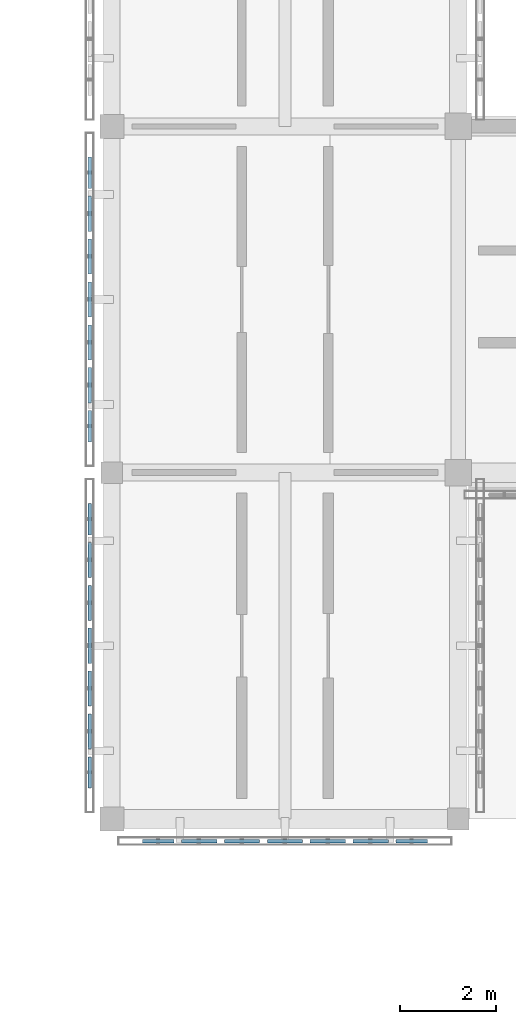
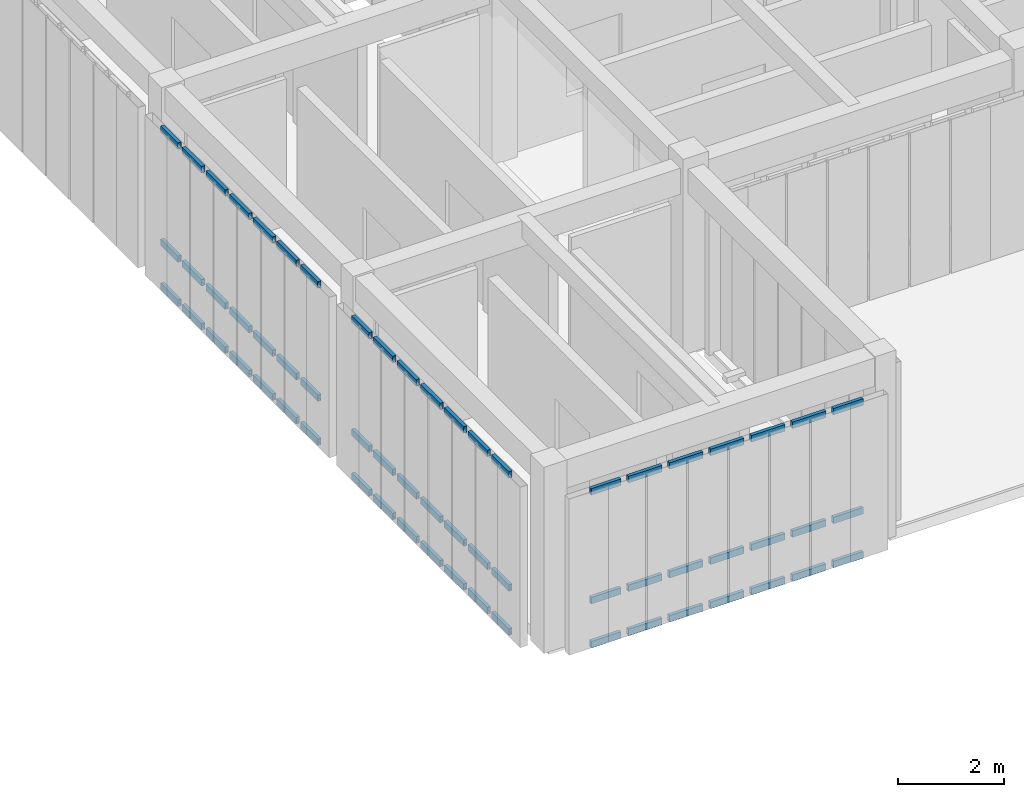
# One storey, part 32 of 91: 63 members, 3 elements without a shape of their own.
"""IFC4 building model written with IfcOpenShell, lengths in metres."""

import ifcopenshell
import ifcopenshell.guid

model = None  # the IFC model being written
_history = None  # IfcOwnerHistory: only IFC2X3 demands one
_inside = {}  # id of a spatial element -> (the spatial element, [elements in it])
_under = {}  # id of a project, library or spatial element -> (it, [spatial elements below it])
_declared = {}  # id of a project -> (the project, [libraries it declares])
_typed = {}  # id of a type object -> (the type object, [elements of that type])
_made_of = {}  # id of a material, layer set ... -> (it, [elements and type objects made of it])


def new_model(schema):
    """Start an empty IFC model of exactly this schema.

    Asked for "IFC4X3", IfcOpenShell would pick the latest addendum, in which some entities
    have other attributes; the version numbers below select the first issue.
    IFC2X3 requires an IfcOwnerHistory on every rooted entity: one is made here for all.
    """
    global model, _history
    if schema == "IFC4X3":
        model = ifcopenshell.file(schema_version=(4, 3, 0, 0))
    else:
        model = ifcopenshell.file(schema=schema)
    _inside.clear()
    _under.clear()
    _declared.clear()
    _typed.clear()
    _made_of.clear()
    _history = None
    if model.schema == "IFC2X3":
        org = make("IfcOrganization", Name="unknown")
        user = make(
            "IfcPersonAndOrganization",
            ThePerson=make("IfcPerson", FamilyName="unknown"),
            TheOrganization=org,
        )
        app = make(
            "IfcApplication",
            ApplicationDeveloper=org,
            Version="unknown",
            ApplicationFullName="unknown",
            ApplicationIdentifier="unknown",
        )
        _history = make(
            "IfcOwnerHistory",
            OwningUser=user,
            OwningApplication=app,
            ChangeAction="ADDED",
            CreationDate=0,
        )
    return model


def make(cls, **values):
    """One entity of the class cls with the attributes given. An attribute that is None is left unset."""
    return model.create_entity(
        cls, **{name: value for name, value in values.items() if value is not None}
    )


def rooted(cls, **values):
    """An entity with a GlobalId (a new one), such as an element, a storey or a relation."""
    return make(cls, GlobalId=ifcopenshell.guid.new(), OwnerHistory=_history, **values)


def si_unit(unit_type, name, prefix=None):
    """IfcSIUnit, for example si_unit("LENGTHUNIT", "METRE", prefix="MILLI")."""
    return make("IfcSIUnit", UnitType=unit_type, Prefix=prefix, Name=name)


def assignment(units):
    """IfcUnitAssignment: the units of a project."""
    return None if units is None else make("IfcUnitAssignment", Units=units)


def point(xyz):
    """IfcCartesianPoint."""
    return None if xyz is None else make("IfcCartesianPoint", Coordinates=xyz)


def direction(xyz):
    """IfcDirection."""
    return None if xyz is None else make("IfcDirection", DirectionRatios=xyz)


def frame(location, z_axis=None, x_axis=None):
    """IfcAxis2Placement3D, a coordinate frame: its origin and axes. An axis left out is left unset."""
    return make(
        "IfcAxis2Placement3D",
        Location=point(location),
        Axis=direction(z_axis),
        RefDirection=direction(x_axis),
    )


def frame_2d(location, x_axis=None):
    """IfcAxis2Placement2D, a coordinate frame in the plane: its origin and x axis."""
    return make(
        "IfcAxis2Placement2D", Location=point(location), RefDirection=direction(x_axis)
    )


def origin():
    """The frame at (0, 0, 0) with its axes left unset."""
    return frame((0.0, 0.0, 0.0))


def origin_2d():
    """The frame at (0, 0) in the plane with its x axis left unset."""
    return frame_2d((0.0, 0.0))


def place(relative_to, where):
    """IfcLocalPlacement: puts the frame where relative to a parent placement (None: the world)."""
    return make(
        "IfcLocalPlacement", PlacementRelTo=relative_to, RelativePlacement=where
    )


def context(
    kind, dimensions, precision=None, world=None, true_north=None, identifier=None
):
    """IfcGeometricRepresentationContext, for example the 3D "Model" context."""
    return make(
        "IfcGeometricRepresentationContext",
        ContextIdentifier=identifier,
        ContextType=kind,
        CoordinateSpaceDimension=dimensions,
        Precision=precision,
        WorldCoordinateSystem=world,
        TrueNorth=true_north,
    )


def subcontext(parent, identifier, kind, view, scale=None):
    """IfcGeometricRepresentationSubContext, for example "Body" below "Model"."""
    return make(
        "IfcGeometricRepresentationSubContext",
        ContextIdentifier=identifier,
        ContextType=kind,
        ParentContext=parent,
        TargetScale=scale,
        TargetView=view,
    )


def project(units=None, contexts=None):
    """IfcProject with its units and contexts."""
    return rooted(
        "IfcProject",
        Name="project",
        RepresentationContexts=contexts,
        UnitsInContext=assignment(units),
    )


def spatial(cls, under=None, at=None, **own):
    """A site, building, storey or space (cls), placed at a placement, below another one or the project."""
    s = rooted(cls, ObjectPlacement=at, **own)
    if under is not None:
        _under.setdefault(under.id(), (under, []))[1].append(s)
    return s


def profile(cls, at=None, kind="AREA", **sizes):
    """A parametric profile (cls). Its sizes go by their IFC names, for example OverallWidth=200.0."""
    return make(cls, ProfileType=kind, Position=at, **sizes)


def hollow_rectangle(**sizes):
    """IfcRectangleHollowProfileDef."""
    return profile("IfcRectangleHollowProfileDef", **sizes)


def extrude(swept, where, along, depth):
    """IfcExtrudedAreaSolid: the profile swept, set in the frame where, extruded along a direction by depth."""
    return make(
        "IfcExtrudedAreaSolid",
        SweptArea=swept,
        Position=where,
        ExtrudedDirection=direction(along),
        Depth=depth,
    )


def shape(context_of_items, identifier, shape_type, items):
    """IfcShapeRepresentation: the items that make up one representation, for example the "Body"."""
    return make(
        "IfcShapeRepresentation",
        ContextOfItems=context_of_items,
        RepresentationIdentifier=identifier,
        RepresentationType=shape_type,
        Items=items,
    )


def material(Name=None, Category=None):
    """IfcMaterial."""
    return make("IfcMaterial", Name=Name, Category=Category)


def material_profile(
    of_material, cross_section, Name=None, Category=None, Priority=None
):
    """IfcMaterialProfile: a cross section and its material."""
    return make(
        "IfcMaterialProfile",
        Name=Name,
        Material=of_material,
        Profile=cross_section,
        Priority=Priority,
        Category=Category,
    )


def profile_set(profiles, Name=None, composite=None):
    """IfcMaterialProfileSet."""
    return make(
        "IfcMaterialProfileSet",
        Name=Name,
        MaterialProfiles=profiles,
        CompositeProfile=composite,
    )


def made_of(thing, what):
    """Note that an element or type object is made of a material, layer set ...; save() writes the relation."""
    if what is not None:
        _made_of.setdefault(what.id(), (what, []))[1].append(thing)
    return thing


def type_object(cls, material=None, **own):
    """A type object (cls), such as IfcWallType, which elements share."""
    return made_of(rooted(cls, **own), material)


def element(
    cls,
    number,
    at=None,
    inside=None,
    cuts=None,
    type_object=None,
    material=None,
    context=None,
    identifier="Body",
    shape_type=None,
    held_by="IfcProductDefinitionShape",
    body=None,
    shapes=None,
    **own,
):
    """One element of the class cls, such as IfcWall. Its Tag is "e" and its number.

    at: its placement. inside: the storey or other place that contains it. cuts: it is an
    opening in that element (IfcRelVoidsElement). A single representation is given by context,
    identifier, shape_type and body (its items); several are given by shapes. held_by: the class
    of the entity that holds the representations. save() writes the other relations.
    """
    e = rooted(cls, Tag="e%d" % number, ObjectPlacement=at, **own)
    if body is not None:
        shapes = [shape(context, identifier, shape_type, body)]
    if shapes is not None:
        e.Representation = make(held_by, Representations=shapes)
    if inside is not None:
        _inside.setdefault(inside.id(), (inside, []))[1].append(e)
    if cuts is not None:
        rooted(
            "IfcRelVoidsElement", RelatingBuildingElement=cuts, RelatedOpeningElement=e
        )
    if type_object is not None:
        _typed.setdefault(type_object.id(), (type_object, []))[1].append(e)
    return made_of(e, material)


def aggregate(whole, parts):
    """IfcRelAggregates: a whole, such as a stair, and the parts it consists of."""
    return rooted("IfcRelAggregates", RelatingObject=whole, RelatedObjects=parts)


def save(model, path):
    """Write the relations noted so far, then the file.

    IfcRelAggregates (storeys below a building ...), IfcRelContainedInSpatialStructure (elements
    in a storey), IfcRelDefinesByType, IfcRelAssociatesMaterial and IfcRelDeclares: one each for
    every whole, place, type object, material and project.
    """
    for whole, parts in _under.values():
        aggregate(whole, parts)
    for where, things in _inside.values():
        rooted(
            "IfcRelContainedInSpatialStructure",
            RelatedElements=things,
            RelatingStructure=where,
        )
    for kind, things in _typed.values():
        rooted("IfcRelDefinesByType", RelatedObjects=things, RelatingType=kind)
    for what, things in _made_of.values():
        rooted("IfcRelAssociatesMaterial", RelatedObjects=things, RelatingMaterial=what)
    for by, libraries in _declared.values():
        rooted("IfcRelDeclares", RelatingContext=by, RelatedDefinitions=libraries)
    model.write(path)


model = new_model("IFC4")

# Units and contexts
model_context = context("Model", 3, precision=1e-05, world=origin(), true_north=direction((0.0, 1.0)))
body_context = subcontext(model_context, "Body", "Model", "MODEL_VIEW")
ifc_project = project(units=[si_unit("LENGTHUNIT", "METRE"), si_unit("AREAUNIT", "SQUARE_METRE"), si_unit("VOLUMEUNIT", "CUBIC_METRE"), si_unit("PLANEANGLEUNIT", "RADIAN"), si_unit("MASSUNIT", "GRAM", prefix="KILO")], contexts=[model_context])

# Site, building, storey
site_placement = place(None, origin())
site = spatial("IfcSite", under=ifc_project, at=site_placement, CompositionType="ELEMENT")
building_placement = place(site_placement, origin())
building = spatial("IfcBuilding", under=site, at=building_placement, Name="Aldebral Square Health Centre", CompositionType="ELEMENT")
storey_placement = place(building_placement, frame((0.0, 0.0, 9.0)))
storey = spatial("IfcBuildingStorey", under=building, at=storey_placement, Name="L02", CompositionType="ELEMENT", Elevation=9.0)

# Curtain wall, members
ifc_material_1 = material(Name="Aluminium and low-E solar glass", Category="aluminium")
curtain_wall_type = type_object("IfcCurtainWallType", Name="CW-FIN-SYS", PredefinedType="USERDEFINED", material=ifc_material_1)
curtain_wall_1_placement = place(storey_placement, origin())
curtain_wall_1 = element("IfcCurtainWall", 1, at=curtain_wall_1_placement, inside=storey, type_object=curtain_wall_type, Name="L02 V5 finned curtain wall L02-V5-19-07-S", ObjectType="SOLAR_CURTAIN_WALL", PredefinedType="USERDEFINED")
ifc_material_2 = material(Name="Anodised aluminium transom", Category="aluminium")
ifc_material_profile = material_profile(ifc_material_2, hollow_rectangle(XDim=0.074951171875, YDim=0.14990234375, WallThickness=0.00390625, at=origin_2d()), Name="CWT 75x150x4")
ifc_profile_set = profile_set([ifc_material_profile], Name="Anodised aluminium transom")
member_type = type_object("IfcMemberType", Name="CWT-STD", PredefinedType="USERDEFINED", material=ifc_profile_set)
member_1_placement = place(storey_placement, frame((137.43994140625, 49.93994140625, 0.03759765625), z_axis=(1.0, 0.0, 0.0), x_axis=(0.0, 1.0, 0.0)))
member_1 = element("IfcMember", 2, at=member_1_placement, type_object=member_type, Name="CW1 transom 1.1", ObjectType="TRANSOM", PredefinedType="USERDEFINED", context=body_context, shape_type="SweptSolid", body=[
    extrude(hollow_rectangle(XDim=0.074951171875, YDim=0.14990234375, WallThickness=0.00390625, at=origin_2d()), origin(), (0.0, 0.0, 1.0), 0.6513671875),
])
member_2_placement = place(storey_placement, frame((137.43994140625, 49.93994140625, 1.050048828125), z_axis=(1.0, 0.0, 0.0), x_axis=(0.0, 1.0, 0.0)))
member_2 = element("IfcMember", 3, at=member_2_placement, type_object=member_type, Name="CW1 transom 1.2", ObjectType="TRANSOM", PredefinedType="USERDEFINED", context=body_context, shape_type="SweptSolid", body=[
    extrude(hollow_rectangle(XDim=0.074951171875, YDim=0.14990234375, WallThickness=0.00390625, at=origin_2d()), origin(), (0.0, 0.0, 1.0), 0.6513671875),
])
member_3_placement = place(storey_placement, frame((137.43994140625, 49.93994140625, 3.552490234375), z_axis=(1.0, 0.0, 0.0), x_axis=(0.0, 1.0, 0.0)))
member_3 = element("IfcMember", 4, at=member_3_placement, type_object=member_type, Name="CW1 transom 1.3", ObjectType="TRANSOM", PredefinedType="USERDEFINED", context=body_context, shape_type="SweptSolid", body=[
    extrude(hollow_rectangle(XDim=0.074951171875, YDim=0.14990234375, WallThickness=0.00390625, at=origin_2d()), origin(), (0.0, 0.0, 1.0), 0.6513671875),
])
member_4_placement = place(storey_placement, frame((138.25146484375, 49.93994140625, 0.03759765625), z_axis=(1.0, 0.0, 0.0), x_axis=(0.0, 1.0, 0.0)))
member_4 = element("IfcMember", 5, at=member_4_placement, type_object=member_type, Name="CW1 transom 2.1", ObjectType="TRANSOM", PredefinedType="USERDEFINED", context=body_context, shape_type="SweptSolid", body=[
    extrude(hollow_rectangle(XDim=0.074951171875, YDim=0.14990234375, WallThickness=0.00390625, at=origin_2d()), origin(), (0.0, 0.0, 1.0), 0.7314453125),
])
member_5_placement = place(storey_placement, frame((138.25146484375, 49.93994140625, 1.050048828125), z_axis=(1.0, 0.0, 0.0), x_axis=(0.0, 1.0, 0.0)))
member_5 = element("IfcMember", 6, at=member_5_placement, type_object=member_type, Name="CW1 transom 2.2", ObjectType="TRANSOM", PredefinedType="USERDEFINED", context=body_context, shape_type="SweptSolid", body=[
    extrude(hollow_rectangle(XDim=0.074951171875, YDim=0.14990234375, WallThickness=0.00390625, at=origin_2d()), origin(), (0.0, 0.0, 1.0), 0.7314453125),
])
member_6_placement = place(storey_placement, frame((138.25146484375, 49.93994140625, 3.552490234375), z_axis=(1.0, 0.0, 0.0), x_axis=(0.0, 1.0, 0.0)))
member_6 = element("IfcMember", 7, at=member_6_placement, type_object=member_type, Name="CW1 transom 2.3", ObjectType="TRANSOM", PredefinedType="USERDEFINED", context=body_context, shape_type="SweptSolid", body=[
    extrude(hollow_rectangle(XDim=0.074951171875, YDim=0.14990234375, WallThickness=0.00390625, at=origin_2d()), origin(), (0.0, 0.0, 1.0), 0.7314453125),
])
member_7_placement = place(storey_placement, frame((139.142822265625, 49.93994140625, 0.03759765625), z_axis=(1.0, 0.0, 0.0), x_axis=(0.0, 1.0, 0.0)))
member_7 = element("IfcMember", 8, at=member_7_placement, type_object=member_type, Name="CW1 transom 3.1", ObjectType="TRANSOM", PredefinedType="USERDEFINED", context=body_context, shape_type="SweptSolid", body=[
    extrude(hollow_rectangle(XDim=0.074951171875, YDim=0.14990234375, WallThickness=0.00390625, at=origin_2d()), origin(), (0.0, 0.0, 1.0), 0.7314453125),
])
member_8_placement = place(storey_placement, frame((139.142822265625, 49.93994140625, 1.050048828125), z_axis=(1.0, 0.0, 0.0), x_axis=(0.0, 1.0, 0.0)))
member_8 = element("IfcMember", 9, at=member_8_placement, type_object=member_type, Name="CW1 transom 3.2", ObjectType="TRANSOM", PredefinedType="USERDEFINED", context=body_context, shape_type="SweptSolid", body=[
    extrude(hollow_rectangle(XDim=0.074951171875, YDim=0.14990234375, WallThickness=0.00390625, at=origin_2d()), origin(), (0.0, 0.0, 1.0), 0.7314453125),
])
member_9_placement = place(storey_placement, frame((139.142822265625, 49.93994140625, 3.552490234375), z_axis=(1.0, 0.0, 0.0), x_axis=(0.0, 1.0, 0.0)))
member_9 = element("IfcMember", 10, at=member_9_placement, type_object=member_type, Name="CW1 transom 3.3", ObjectType="TRANSOM", PredefinedType="USERDEFINED", context=body_context, shape_type="SweptSolid", body=[
    extrude(hollow_rectangle(XDim=0.074951171875, YDim=0.14990234375, WallThickness=0.00390625, at=origin_2d()), origin(), (0.0, 0.0, 1.0), 0.7314453125),
])
member_10_placement = place(storey_placement, frame((140.0341796875, 49.93994140625, 0.03759765625), z_axis=(1.0, 0.0, 0.0), x_axis=(0.0, 1.0, 0.0)))
member_10 = element("IfcMember", 11, at=member_10_placement, type_object=member_type, Name="CW1 transom 4.1", ObjectType="TRANSOM", PredefinedType="USERDEFINED", context=body_context, shape_type="SweptSolid", body=[
    extrude(hollow_rectangle(XDim=0.074951171875, YDim=0.14990234375, WallThickness=0.00390625, at=origin_2d()), origin(), (0.0, 0.0, 1.0), 0.7314453125),
])
member_11_placement = place(storey_placement, frame((140.0341796875, 49.93994140625, 1.050048828125), z_axis=(1.0, 0.0, 0.0), x_axis=(0.0, 1.0, 0.0)))
member_11 = element("IfcMember", 12, at=member_11_placement, type_object=member_type, Name="CW1 transom 4.2", ObjectType="TRANSOM", PredefinedType="USERDEFINED", context=body_context, shape_type="SweptSolid", body=[
    extrude(hollow_rectangle(XDim=0.074951171875, YDim=0.14990234375, WallThickness=0.00390625, at=origin_2d()), origin(), (0.0, 0.0, 1.0), 0.7314453125),
])
member_12_placement = place(storey_placement, frame((140.0341796875, 49.93994140625, 3.552490234375), z_axis=(1.0, 0.0, 0.0), x_axis=(0.0, 1.0, 0.0)))
member_12 = element("IfcMember", 13, at=member_12_placement, type_object=member_type, Name="CW1 transom 4.3", ObjectType="TRANSOM", PredefinedType="USERDEFINED", context=body_context, shape_type="SweptSolid", body=[
    extrude(hollow_rectangle(XDim=0.074951171875, YDim=0.14990234375, WallThickness=0.00390625, at=origin_2d()), origin(), (0.0, 0.0, 1.0), 0.7314453125),
])
member_13_placement = place(storey_placement, frame((140.92578125, 49.93994140625, 0.03759765625), z_axis=(1.0, 0.0, 0.0), x_axis=(0.0, 1.0, 0.0)))
member_13 = element("IfcMember", 14, at=member_13_placement, type_object=member_type, Name="CW1 transom 5.1", ObjectType="TRANSOM", PredefinedType="USERDEFINED", context=body_context, shape_type="SweptSolid", body=[
    extrude(hollow_rectangle(XDim=0.074951171875, YDim=0.14990234375, WallThickness=0.00390625, at=origin_2d()), origin(), (0.0, 0.0, 1.0), 0.7314453125),
])
member_14_placement = place(storey_placement, frame((140.92578125, 49.93994140625, 1.050048828125), z_axis=(1.0, 0.0, 0.0), x_axis=(0.0, 1.0, 0.0)))
member_14 = element("IfcMember", 15, at=member_14_placement, type_object=member_type, Name="CW1 transom 5.2", ObjectType="TRANSOM", PredefinedType="USERDEFINED", context=body_context, shape_type="SweptSolid", body=[
    extrude(hollow_rectangle(XDim=0.074951171875, YDim=0.14990234375, WallThickness=0.00390625, at=origin_2d()), origin(), (0.0, 0.0, 1.0), 0.7314453125),
])
member_15_placement = place(storey_placement, frame((140.92578125, 49.93994140625, 3.552490234375), z_axis=(1.0, 0.0, 0.0), x_axis=(0.0, 1.0, 0.0)))
member_15 = element("IfcMember", 16, at=member_15_placement, type_object=member_type, Name="CW1 transom 5.3", ObjectType="TRANSOM", PredefinedType="USERDEFINED", context=body_context, shape_type="SweptSolid", body=[
    extrude(hollow_rectangle(XDim=0.074951171875, YDim=0.14990234375, WallThickness=0.00390625, at=origin_2d()), origin(), (0.0, 0.0, 1.0), 0.7314453125),
])
member_16_placement = place(storey_placement, frame((141.817138671875, 49.93994140625, 0.03759765625), z_axis=(1.0, 0.0, 0.0), x_axis=(0.0, 1.0, 0.0)))
member_16 = element("IfcMember", 17, at=member_16_placement, type_object=member_type, Name="CW1 transom 6.1", ObjectType="TRANSOM", PredefinedType="USERDEFINED", context=body_context, shape_type="SweptSolid", body=[
    extrude(hollow_rectangle(XDim=0.074951171875, YDim=0.14990234375, WallThickness=0.00390625, at=origin_2d()), origin(), (0.0, 0.0, 1.0), 0.7314453125),
])
member_17_placement = place(storey_placement, frame((141.817138671875, 49.93994140625, 1.050048828125), z_axis=(1.0, 0.0, 0.0), x_axis=(0.0, 1.0, 0.0)))
member_17 = element("IfcMember", 18, at=member_17_placement, type_object=member_type, Name="CW1 transom 6.2", ObjectType="TRANSOM", PredefinedType="USERDEFINED", context=body_context, shape_type="SweptSolid", body=[
    extrude(hollow_rectangle(XDim=0.074951171875, YDim=0.14990234375, WallThickness=0.00390625, at=origin_2d()), origin(), (0.0, 0.0, 1.0), 0.7314453125),
])
member_18_placement = place(storey_placement, frame((141.817138671875, 49.93994140625, 3.552490234375), z_axis=(1.0, 0.0, 0.0), x_axis=(0.0, 1.0, 0.0)))
member_18 = element("IfcMember", 19, at=member_18_placement, type_object=member_type, Name="CW1 transom 6.3", ObjectType="TRANSOM", PredefinedType="USERDEFINED", context=body_context, shape_type="SweptSolid", body=[
    extrude(hollow_rectangle(XDim=0.074951171875, YDim=0.14990234375, WallThickness=0.00390625, at=origin_2d()), origin(), (0.0, 0.0, 1.0), 0.7314453125),
])
member_19_placement = place(storey_placement, frame((142.70849609375, 49.93994140625, 0.03759765625), z_axis=(1.0, 0.0, 0.0), x_axis=(0.0, 1.0, 0.0)))
member_19 = element("IfcMember", 20, at=member_19_placement, type_object=member_type, Name="CW1 transom 7.1", ObjectType="TRANSOM", PredefinedType="USERDEFINED", context=body_context, shape_type="SweptSolid", body=[
    extrude(hollow_rectangle(XDim=0.074951171875, YDim=0.14990234375, WallThickness=0.00390625, at=origin_2d()), origin(), (0.0, 0.0, 1.0), 0.651611328125),
])
member_20_placement = place(storey_placement, frame((142.70849609375, 49.93994140625, 1.050048828125), z_axis=(1.0, 0.0, 0.0), x_axis=(0.0, 1.0, 0.0)))
member_20 = element("IfcMember", 21, at=member_20_placement, type_object=member_type, Name="CW1 transom 7.2", ObjectType="TRANSOM", PredefinedType="USERDEFINED", context=body_context, shape_type="SweptSolid", body=[
    extrude(hollow_rectangle(XDim=0.074951171875, YDim=0.14990234375, WallThickness=0.00390625, at=origin_2d()), origin(), (0.0, 0.0, 1.0), 0.651611328125),
])
member_21_placement = place(storey_placement, frame((142.70849609375, 49.93994140625, 3.552490234375), z_axis=(1.0, 0.0, 0.0), x_axis=(0.0, 1.0, 0.0)))
member_21 = element("IfcMember", 22, at=member_21_placement, type_object=member_type, Name="CW1 transom 7.3", ObjectType="TRANSOM", PredefinedType="USERDEFINED", context=body_context, shape_type="SweptSolid", body=[
    extrude(hollow_rectangle(XDim=0.074951171875, YDim=0.14990234375, WallThickness=0.00390625, at=origin_2d()), origin(), (0.0, 0.0, 1.0), 0.651611328125),
])
aggregate(curtain_wall_1, [member_1, member_2, member_3, member_4, member_5, member_6, member_7, member_8, member_9, member_10, member_11, member_12, member_13, member_14, member_15, member_16, member_17, member_18, member_19, member_20, member_21])

curtain_wall_2_placement = place(storey_placement, origin())
curtain_wall_2 = element("IfcCurtainWall", 23, at=curtain_wall_2_placement, inside=storey, type_object=curtain_wall_type, Name="L02 V5 finned curtain wall L02-V5-19-07-W", ObjectType="SOLAR_CURTAIN_WALL", PredefinedType="USERDEFINED")
member_22_placement = place(storey_placement, frame((136.340087890625, 56.9599609375, 0.03759765625), z_axis=(0.0, -1.0, 0.0), x_axis=(1.0, 0.0, 0.0)))
member_22 = element("IfcMember", 24, at=member_22_placement, type_object=member_type, Name="CW1 transom 1.1", ObjectType="TRANSOM", PredefinedType="USERDEFINED", context=body_context, shape_type="SweptSolid", body=[
    extrude(hollow_rectangle(XDim=0.074951171875, YDim=0.14990234375, WallThickness=0.00390625, at=origin_2d()), origin(), (0.0, 0.0, 1.0), 0.6513671875),
])
member_23_placement = place(storey_placement, frame((136.340087890625, 56.9599609375, 1.050048828125), z_axis=(0.0, -1.0, 0.0), x_axis=(1.0, 0.0, 0.0)))
member_23 = element("IfcMember", 25, at=member_23_placement, type_object=member_type, Name="CW1 transom 1.2", ObjectType="TRANSOM", PredefinedType="USERDEFINED", context=body_context, shape_type="SweptSolid", body=[
    extrude(hollow_rectangle(XDim=0.074951171875, YDim=0.14990234375, WallThickness=0.00390625, at=origin_2d()), origin(), (0.0, 0.0, 1.0), 0.6513671875),
])
member_24_placement = place(storey_placement, frame((136.340087890625, 56.9599609375, 3.652587890625), z_axis=(0.0, -1.0, 0.0), x_axis=(1.0, 0.0, 0.0)))
member_24 = element("IfcMember", 26, at=member_24_placement, type_object=member_type, Name="CW1 transom 1.3", ObjectType="TRANSOM", PredefinedType="USERDEFINED", context=body_context, shape_type="SweptSolid", body=[
    extrude(hollow_rectangle(XDim=0.074951171875, YDim=0.14990234375, WallThickness=0.00390625, at=origin_2d()), origin(), (0.0, 0.0, 1.0), 0.6513671875),
])
member_25_placement = place(storey_placement, frame((136.340087890625, 56.148681640625, 0.03759765625), z_axis=(0.0, -1.0, 0.0), x_axis=(1.0, 0.0, 0.0)))
member_25 = element("IfcMember", 27, at=member_25_placement, type_object=member_type, Name="CW1 transom 2.1", ObjectType="TRANSOM", PredefinedType="USERDEFINED", context=body_context, shape_type="SweptSolid", body=[
    extrude(hollow_rectangle(XDim=0.074951171875, YDim=0.14990234375, WallThickness=0.00390625, at=origin_2d()), origin(), (0.0, 0.0, 1.0), 0.7314453125),
])
member_26_placement = place(storey_placement, frame((136.340087890625, 56.148681640625, 1.050048828125), z_axis=(0.0, -1.0, 0.0), x_axis=(1.0, 0.0, 0.0)))
member_26 = element("IfcMember", 28, at=member_26_placement, type_object=member_type, Name="CW1 transom 2.2", ObjectType="TRANSOM", PredefinedType="USERDEFINED", context=body_context, shape_type="SweptSolid", body=[
    extrude(hollow_rectangle(XDim=0.074951171875, YDim=0.14990234375, WallThickness=0.00390625, at=origin_2d()), origin(), (0.0, 0.0, 1.0), 0.7314453125),
])
member_27_placement = place(storey_placement, frame((136.340087890625, 56.148681640625, 3.652587890625), z_axis=(0.0, -1.0, 0.0), x_axis=(1.0, 0.0, 0.0)))
member_27 = element("IfcMember", 29, at=member_27_placement, type_object=member_type, Name="CW1 transom 2.3", ObjectType="TRANSOM", PredefinedType="USERDEFINED", context=body_context, shape_type="SweptSolid", body=[
    extrude(hollow_rectangle(XDim=0.074951171875, YDim=0.14990234375, WallThickness=0.00390625, at=origin_2d()), origin(), (0.0, 0.0, 1.0), 0.7314453125),
])
member_28_placement = place(storey_placement, frame((136.340087890625, 55.257080078125, 0.03759765625), z_axis=(0.0, -1.0, 0.0), x_axis=(1.0, 0.0, 0.0)))
member_28 = element("IfcMember", 30, at=member_28_placement, type_object=member_type, Name="CW1 transom 3.1", ObjectType="TRANSOM", PredefinedType="USERDEFINED", context=body_context, shape_type="SweptSolid", body=[
    extrude(hollow_rectangle(XDim=0.074951171875, YDim=0.14990234375, WallThickness=0.00390625, at=origin_2d()), origin(), (0.0, 0.0, 1.0), 0.7314453125),
])
member_29_placement = place(storey_placement, frame((136.340087890625, 55.257080078125, 1.050048828125), z_axis=(0.0, -1.0, 0.0), x_axis=(1.0, 0.0, 0.0)))
member_29 = element("IfcMember", 31, at=member_29_placement, type_object=member_type, Name="CW1 transom 3.2", ObjectType="TRANSOM", PredefinedType="USERDEFINED", context=body_context, shape_type="SweptSolid", body=[
    extrude(hollow_rectangle(XDim=0.074951171875, YDim=0.14990234375, WallThickness=0.00390625, at=origin_2d()), origin(), (0.0, 0.0, 1.0), 0.7314453125),
])
member_30_placement = place(storey_placement, frame((136.340087890625, 55.257080078125, 3.652587890625), z_axis=(0.0, -1.0, 0.0), x_axis=(1.0, 0.0, 0.0)))
member_30 = element("IfcMember", 32, at=member_30_placement, type_object=member_type, Name="CW1 transom 3.3", ObjectType="TRANSOM", PredefinedType="USERDEFINED", context=body_context, shape_type="SweptSolid", body=[
    extrude(hollow_rectangle(XDim=0.074951171875, YDim=0.14990234375, WallThickness=0.00390625, at=origin_2d()), origin(), (0.0, 0.0, 1.0), 0.7314453125),
])
member_31_placement = place(storey_placement, frame((136.340087890625, 54.36572265625, 0.03759765625), z_axis=(0.0, -1.0, 0.0), x_axis=(1.0, 0.0, 0.0)))
member_31 = element("IfcMember", 33, at=member_31_placement, type_object=member_type, Name="CW1 transom 4.1", ObjectType="TRANSOM", PredefinedType="USERDEFINED", context=body_context, shape_type="SweptSolid", body=[
    extrude(hollow_rectangle(XDim=0.074951171875, YDim=0.14990234375, WallThickness=0.00390625, at=origin_2d()), origin(), (0.0, 0.0, 1.0), 0.7314453125),
])
member_32_placement = place(storey_placement, frame((136.340087890625, 54.36572265625, 1.050048828125), z_axis=(0.0, -1.0, 0.0), x_axis=(1.0, 0.0, 0.0)))
member_32 = element("IfcMember", 34, at=member_32_placement, type_object=member_type, Name="CW1 transom 4.2", ObjectType="TRANSOM", PredefinedType="USERDEFINED", context=body_context, shape_type="SweptSolid", body=[
    extrude(hollow_rectangle(XDim=0.074951171875, YDim=0.14990234375, WallThickness=0.00390625, at=origin_2d()), origin(), (0.0, 0.0, 1.0), 0.7314453125),
])
member_33_placement = place(storey_placement, frame((136.340087890625, 54.36572265625, 3.652587890625), z_axis=(0.0, -1.0, 0.0), x_axis=(1.0, 0.0, 0.0)))
member_33 = element("IfcMember", 35, at=member_33_placement, type_object=member_type, Name="CW1 transom 4.3", ObjectType="TRANSOM", PredefinedType="USERDEFINED", context=body_context, shape_type="SweptSolid", body=[
    extrude(hollow_rectangle(XDim=0.074951171875, YDim=0.14990234375, WallThickness=0.00390625, at=origin_2d()), origin(), (0.0, 0.0, 1.0), 0.7314453125),
])
member_34_placement = place(storey_placement, frame((136.340087890625, 53.474365234375, 0.03759765625), z_axis=(0.0, -1.0, 0.0), x_axis=(1.0, 0.0, 0.0)))
member_34 = element("IfcMember", 36, at=member_34_placement, type_object=member_type, Name="CW1 transom 5.1", ObjectType="TRANSOM", PredefinedType="USERDEFINED", context=body_context, shape_type="SweptSolid", body=[
    extrude(hollow_rectangle(XDim=0.074951171875, YDim=0.14990234375, WallThickness=0.00390625, at=origin_2d()), origin(), (0.0, 0.0, 1.0), 0.7314453125),
])
member_35_placement = place(storey_placement, frame((136.340087890625, 53.474365234375, 1.050048828125), z_axis=(0.0, -1.0, 0.0), x_axis=(1.0, 0.0, 0.0)))
member_35 = element("IfcMember", 37, at=member_35_placement, type_object=member_type, Name="CW1 transom 5.2", ObjectType="TRANSOM", PredefinedType="USERDEFINED", context=body_context, shape_type="SweptSolid", body=[
    extrude(hollow_rectangle(XDim=0.074951171875, YDim=0.14990234375, WallThickness=0.00390625, at=origin_2d()), origin(), (0.0, 0.0, 1.0), 0.7314453125),
])
member_36_placement = place(storey_placement, frame((136.340087890625, 53.474365234375, 3.652587890625), z_axis=(0.0, -1.0, 0.0), x_axis=(1.0, 0.0, 0.0)))
member_36 = element("IfcMember", 38, at=member_36_placement, type_object=member_type, Name="CW1 transom 5.3", ObjectType="TRANSOM", PredefinedType="USERDEFINED", context=body_context, shape_type="SweptSolid", body=[
    extrude(hollow_rectangle(XDim=0.074951171875, YDim=0.14990234375, WallThickness=0.00390625, at=origin_2d()), origin(), (0.0, 0.0, 1.0), 0.7314453125),
])
member_37_placement = place(storey_placement, frame((136.340087890625, 52.582763671875, 0.03759765625), z_axis=(0.0, -1.0, 0.0), x_axis=(1.0, 0.0, 0.0)))
member_37 = element("IfcMember", 39, at=member_37_placement, type_object=member_type, Name="CW1 transom 6.1", ObjectType="TRANSOM", PredefinedType="USERDEFINED", context=body_context, shape_type="SweptSolid", body=[
    extrude(hollow_rectangle(XDim=0.074951171875, YDim=0.14990234375, WallThickness=0.00390625, at=origin_2d()), origin(), (0.0, 0.0, 1.0), 0.7314453125),
])
member_38_placement = place(storey_placement, frame((136.340087890625, 52.582763671875, 1.050048828125), z_axis=(0.0, -1.0, 0.0), x_axis=(1.0, 0.0, 0.0)))
member_38 = element("IfcMember", 40, at=member_38_placement, type_object=member_type, Name="CW1 transom 6.2", ObjectType="TRANSOM", PredefinedType="USERDEFINED", context=body_context, shape_type="SweptSolid", body=[
    extrude(hollow_rectangle(XDim=0.074951171875, YDim=0.14990234375, WallThickness=0.00390625, at=origin_2d()), origin(), (0.0, 0.0, 1.0), 0.7314453125),
])
member_39_placement = place(storey_placement, frame((136.340087890625, 52.582763671875, 3.652587890625), z_axis=(0.0, -1.0, 0.0), x_axis=(1.0, 0.0, 0.0)))
member_39 = element("IfcMember", 41, at=member_39_placement, type_object=member_type, Name="CW1 transom 6.3", ObjectType="TRANSOM", PredefinedType="USERDEFINED", context=body_context, shape_type="SweptSolid", body=[
    extrude(hollow_rectangle(XDim=0.074951171875, YDim=0.14990234375, WallThickness=0.00390625, at=origin_2d()), origin(), (0.0, 0.0, 1.0), 0.7314453125),
])
member_40_placement = place(storey_placement, frame((136.340087890625, 51.69140625, 0.03759765625), z_axis=(0.0, -1.0, 0.0), x_axis=(1.0, 0.0, 0.0)))
member_40 = element("IfcMember", 42, at=member_40_placement, type_object=member_type, Name="CW1 transom 7.1", ObjectType="TRANSOM", PredefinedType="USERDEFINED", context=body_context, shape_type="SweptSolid", body=[
    extrude(hollow_rectangle(XDim=0.074951171875, YDim=0.14990234375, WallThickness=0.00390625, at=origin_2d()), origin(), (0.0, 0.0, 1.0), 0.6513671875),
])
member_41_placement = place(storey_placement, frame((136.340087890625, 51.69140625, 1.050048828125), z_axis=(0.0, -1.0, 0.0), x_axis=(1.0, 0.0, 0.0)))
member_41 = element("IfcMember", 43, at=member_41_placement, type_object=member_type, Name="CW1 transom 7.2", ObjectType="TRANSOM", PredefinedType="USERDEFINED", context=body_context, shape_type="SweptSolid", body=[
    extrude(hollow_rectangle(XDim=0.074951171875, YDim=0.14990234375, WallThickness=0.00390625, at=origin_2d()), origin(), (0.0, 0.0, 1.0), 0.6513671875),
])
member_42_placement = place(storey_placement, frame((136.340087890625, 51.69140625, 3.652587890625), z_axis=(0.0, -1.0, 0.0), x_axis=(1.0, 0.0, 0.0)))
member_42 = element("IfcMember", 44, at=member_42_placement, type_object=member_type, Name="CW1 transom 7.3", ObjectType="TRANSOM", PredefinedType="USERDEFINED", context=body_context, shape_type="SweptSolid", body=[
    extrude(hollow_rectangle(XDim=0.074951171875, YDim=0.14990234375, WallThickness=0.00390625, at=origin_2d()), origin(), (0.0, 0.0, 1.0), 0.6513671875),
])
aggregate(curtain_wall_2, [member_22, member_23, member_24, member_25, member_26, member_27, member_28, member_29, member_30, member_31, member_32, member_33, member_34, member_35, member_36, member_37, member_38, member_39, member_40, member_41, member_42])

curtain_wall_3_placement = place(storey_placement, origin())
curtain_wall_3 = element("IfcCurtainWall", 45, at=curtain_wall_3_placement, inside=storey, type_object=curtain_wall_type, Name="L02 V5 finned curtain wall L02-V5-19-08-W", ObjectType="SOLAR_CURTAIN_WALL", PredefinedType="USERDEFINED")
member_43_placement = place(storey_placement, frame((136.340087890625, 64.159912109375, 0.03759765625), z_axis=(0.0, -1.0, 0.0), x_axis=(1.0, 0.0, 0.0)))
member_43 = element("IfcMember", 46, at=member_43_placement, type_object=member_type, Name="CW1 transom 1.1", ObjectType="TRANSOM", PredefinedType="USERDEFINED", context=body_context, shape_type="SweptSolid", body=[
    extrude(hollow_rectangle(XDim=0.074951171875, YDim=0.14990234375, WallThickness=0.00390625, at=origin_2d()), origin(), (0.0, 0.0, 1.0), 0.6513671875),
])
member_44_placement = place(storey_placement, frame((136.340087890625, 64.159912109375, 1.050048828125), z_axis=(0.0, -1.0, 0.0), x_axis=(1.0, 0.0, 0.0)))
member_44 = element("IfcMember", 47, at=member_44_placement, type_object=member_type, Name="CW1 transom 1.2", ObjectType="TRANSOM", PredefinedType="USERDEFINED", context=body_context, shape_type="SweptSolid", body=[
    extrude(hollow_rectangle(XDim=0.074951171875, YDim=0.14990234375, WallThickness=0.00390625, at=origin_2d()), origin(), (0.0, 0.0, 1.0), 0.6513671875),
])
member_45_placement = place(storey_placement, frame((136.340087890625, 64.159912109375, 3.652587890625), z_axis=(0.0, -1.0, 0.0), x_axis=(1.0, 0.0, 0.0)))
member_45 = element("IfcMember", 48, at=member_45_placement, type_object=member_type, Name="CW1 transom 1.3", ObjectType="TRANSOM", PredefinedType="USERDEFINED", context=body_context, shape_type="SweptSolid", body=[
    extrude(hollow_rectangle(XDim=0.074951171875, YDim=0.14990234375, WallThickness=0.00390625, at=origin_2d()), origin(), (0.0, 0.0, 1.0), 0.6513671875),
])
member_46_placement = place(storey_placement, frame((136.340087890625, 63.3486328125, 0.03759765625), z_axis=(0.0, -1.0, 0.0), x_axis=(1.0, 0.0, 0.0)))
member_46 = element("IfcMember", 49, at=member_46_placement, type_object=member_type, Name="CW1 transom 2.1", ObjectType="TRANSOM", PredefinedType="USERDEFINED", context=body_context, shape_type="SweptSolid", body=[
    extrude(hollow_rectangle(XDim=0.074951171875, YDim=0.14990234375, WallThickness=0.00390625, at=origin_2d()), origin(), (0.0, 0.0, 1.0), 0.7314453125),
])
member_47_placement = place(storey_placement, frame((136.340087890625, 63.3486328125, 1.050048828125), z_axis=(0.0, -1.0, 0.0), x_axis=(1.0, 0.0, 0.0)))
member_47 = element("IfcMember", 50, at=member_47_placement, type_object=member_type, Name="CW1 transom 2.2", ObjectType="TRANSOM", PredefinedType="USERDEFINED", context=body_context, shape_type="SweptSolid", body=[
    extrude(hollow_rectangle(XDim=0.074951171875, YDim=0.14990234375, WallThickness=0.00390625, at=origin_2d()), origin(), (0.0, 0.0, 1.0), 0.7314453125),
])
member_48_placement = place(storey_placement, frame((136.340087890625, 63.3486328125, 3.652587890625), z_axis=(0.0, -1.0, 0.0), x_axis=(1.0, 0.0, 0.0)))
member_48 = element("IfcMember", 51, at=member_48_placement, type_object=member_type, Name="CW1 transom 2.3", ObjectType="TRANSOM", PredefinedType="USERDEFINED", context=body_context, shape_type="SweptSolid", body=[
    extrude(hollow_rectangle(XDim=0.074951171875, YDim=0.14990234375, WallThickness=0.00390625, at=origin_2d()), origin(), (0.0, 0.0, 1.0), 0.7314453125),
])
member_49_placement = place(storey_placement, frame((136.340087890625, 62.45703125, 0.03759765625), z_axis=(0.0, -1.0, 0.0), x_axis=(1.0, 0.0, 0.0)))
member_49 = element("IfcMember", 52, at=member_49_placement, type_object=member_type, Name="CW1 transom 3.1", ObjectType="TRANSOM", PredefinedType="USERDEFINED", context=body_context, shape_type="SweptSolid", body=[
    extrude(hollow_rectangle(XDim=0.074951171875, YDim=0.14990234375, WallThickness=0.00390625, at=origin_2d()), origin(), (0.0, 0.0, 1.0), 0.731201171875),
])
member_50_placement = place(storey_placement, frame((136.340087890625, 62.45703125, 1.050048828125), z_axis=(0.0, -1.0, 0.0), x_axis=(1.0, 0.0, 0.0)))
member_50 = element("IfcMember", 53, at=member_50_placement, type_object=member_type, Name="CW1 transom 3.2", ObjectType="TRANSOM", PredefinedType="USERDEFINED", context=body_context, shape_type="SweptSolid", body=[
    extrude(hollow_rectangle(XDim=0.074951171875, YDim=0.14990234375, WallThickness=0.00390625, at=origin_2d()), origin(), (0.0, 0.0, 1.0), 0.731201171875),
])
member_51_placement = place(storey_placement, frame((136.340087890625, 62.45703125, 3.652587890625), z_axis=(0.0, -1.0, 0.0), x_axis=(1.0, 0.0, 0.0)))
member_51 = element("IfcMember", 54, at=member_51_placement, type_object=member_type, Name="CW1 transom 3.3", ObjectType="TRANSOM", PredefinedType="USERDEFINED", context=body_context, shape_type="SweptSolid", body=[
    extrude(hollow_rectangle(XDim=0.074951171875, YDim=0.14990234375, WallThickness=0.00390625, at=origin_2d()), origin(), (0.0, 0.0, 1.0), 0.731201171875),
])
member_52_placement = place(storey_placement, frame((136.340087890625, 61.565673828125, 0.03759765625), z_axis=(0.0, -1.0, 0.0), x_axis=(1.0, 0.0, 0.0)))
member_52 = element("IfcMember", 55, at=member_52_placement, type_object=member_type, Name="CW1 transom 4.1", ObjectType="TRANSOM", PredefinedType="USERDEFINED", context=body_context, shape_type="SweptSolid", body=[
    extrude(hollow_rectangle(XDim=0.074951171875, YDim=0.14990234375, WallThickness=0.00390625, at=origin_2d()), origin(), (0.0, 0.0, 1.0), 0.7314453125),
])
member_53_placement = place(storey_placement, frame((136.340087890625, 61.565673828125, 1.050048828125), z_axis=(0.0, -1.0, 0.0), x_axis=(1.0, 0.0, 0.0)))
member_53 = element("IfcMember", 56, at=member_53_placement, type_object=member_type, Name="CW1 transom 4.2", ObjectType="TRANSOM", PredefinedType="USERDEFINED", context=body_context, shape_type="SweptSolid", body=[
    extrude(hollow_rectangle(XDim=0.074951171875, YDim=0.14990234375, WallThickness=0.00390625, at=origin_2d()), origin(), (0.0, 0.0, 1.0), 0.7314453125),
])
member_54_placement = place(storey_placement, frame((136.340087890625, 61.565673828125, 3.652587890625), z_axis=(0.0, -1.0, 0.0), x_axis=(1.0, 0.0, 0.0)))
member_54 = element("IfcMember", 57, at=member_54_placement, type_object=member_type, Name="CW1 transom 4.3", ObjectType="TRANSOM", PredefinedType="USERDEFINED", context=body_context, shape_type="SweptSolid", body=[
    extrude(hollow_rectangle(XDim=0.074951171875, YDim=0.14990234375, WallThickness=0.00390625, at=origin_2d()), origin(), (0.0, 0.0, 1.0), 0.7314453125),
])
member_55_placement = place(storey_placement, frame((136.340087890625, 60.67431640625, 0.03759765625), z_axis=(0.0, -1.0, 0.0), x_axis=(1.0, 0.0, 0.0)))
member_55 = element("IfcMember", 58, at=member_55_placement, type_object=member_type, Name="CW1 transom 5.1", ObjectType="TRANSOM", PredefinedType="USERDEFINED", context=body_context, shape_type="SweptSolid", body=[
    extrude(hollow_rectangle(XDim=0.074951171875, YDim=0.14990234375, WallThickness=0.00390625, at=origin_2d()), origin(), (0.0, 0.0, 1.0), 0.7314453125),
])
member_56_placement = place(storey_placement, frame((136.340087890625, 60.67431640625, 1.050048828125), z_axis=(0.0, -1.0, 0.0), x_axis=(1.0, 0.0, 0.0)))
member_56 = element("IfcMember", 59, at=member_56_placement, type_object=member_type, Name="CW1 transom 5.2", ObjectType="TRANSOM", PredefinedType="USERDEFINED", context=body_context, shape_type="SweptSolid", body=[
    extrude(hollow_rectangle(XDim=0.074951171875, YDim=0.14990234375, WallThickness=0.00390625, at=origin_2d()), origin(), (0.0, 0.0, 1.0), 0.7314453125),
])
member_57_placement = place(storey_placement, frame((136.340087890625, 60.67431640625, 3.652587890625), z_axis=(0.0, -1.0, 0.0), x_axis=(1.0, 0.0, 0.0)))
member_57 = element("IfcMember", 60, at=member_57_placement, type_object=member_type, Name="CW1 transom 5.3", ObjectType="TRANSOM", PredefinedType="USERDEFINED", context=body_context, shape_type="SweptSolid", body=[
    extrude(hollow_rectangle(XDim=0.074951171875, YDim=0.14990234375, WallThickness=0.00390625, at=origin_2d()), origin(), (0.0, 0.0, 1.0), 0.7314453125),
])
member_58_placement = place(storey_placement, frame((136.340087890625, 59.782958984375, 0.03759765625), z_axis=(0.0, -1.0, 0.0), x_axis=(1.0, 0.0, 0.0)))
member_58 = element("IfcMember", 61, at=member_58_placement, type_object=member_type, Name="CW1 transom 6.1", ObjectType="TRANSOM", PredefinedType="USERDEFINED", context=body_context, shape_type="SweptSolid", body=[
    extrude(hollow_rectangle(XDim=0.074951171875, YDim=0.14990234375, WallThickness=0.00390625, at=origin_2d()), origin(), (0.0, 0.0, 1.0), 0.7314453125),
])
member_59_placement = place(storey_placement, frame((136.340087890625, 59.782958984375, 1.050048828125), z_axis=(0.0, -1.0, 0.0), x_axis=(1.0, 0.0, 0.0)))
member_59 = element("IfcMember", 62, at=member_59_placement, type_object=member_type, Name="CW1 transom 6.2", ObjectType="TRANSOM", PredefinedType="USERDEFINED", context=body_context, shape_type="SweptSolid", body=[
    extrude(hollow_rectangle(XDim=0.074951171875, YDim=0.14990234375, WallThickness=0.00390625, at=origin_2d()), origin(), (0.0, 0.0, 1.0), 0.7314453125),
])
member_60_placement = place(storey_placement, frame((136.340087890625, 59.782958984375, 3.652587890625), z_axis=(0.0, -1.0, 0.0), x_axis=(1.0, 0.0, 0.0)))
member_60 = element("IfcMember", 63, at=member_60_placement, type_object=member_type, Name="CW1 transom 6.3", ObjectType="TRANSOM", PredefinedType="USERDEFINED", context=body_context, shape_type="SweptSolid", body=[
    extrude(hollow_rectangle(XDim=0.074951171875, YDim=0.14990234375, WallThickness=0.00390625, at=origin_2d()), origin(), (0.0, 0.0, 1.0), 0.7314453125),
])
member_61_placement = place(storey_placement, frame((136.340087890625, 58.891357421875, 0.03759765625), z_axis=(0.0, -1.0, 0.0), x_axis=(1.0, 0.0, 0.0)))
member_61 = element("IfcMember", 64, at=member_61_placement, type_object=member_type, Name="CW1 transom 7.1", ObjectType="TRANSOM", PredefinedType="USERDEFINED", context=body_context, shape_type="SweptSolid", body=[
    extrude(hollow_rectangle(XDim=0.074951171875, YDim=0.14990234375, WallThickness=0.00390625, at=origin_2d()), origin(), (0.0, 0.0, 1.0), 0.6513671875),
])
member_62_placement = place(storey_placement, frame((136.340087890625, 58.891357421875, 1.050048828125), z_axis=(0.0, -1.0, 0.0), x_axis=(1.0, 0.0, 0.0)))
member_62 = element("IfcMember", 65, at=member_62_placement, type_object=member_type, Name="CW1 transom 7.2", ObjectType="TRANSOM", PredefinedType="USERDEFINED", context=body_context, shape_type="SweptSolid", body=[
    extrude(hollow_rectangle(XDim=0.074951171875, YDim=0.14990234375, WallThickness=0.00390625, at=origin_2d()), origin(), (0.0, 0.0, 1.0), 0.6513671875),
])
member_63_placement = place(storey_placement, frame((136.340087890625, 58.891357421875, 3.652587890625), z_axis=(0.0, -1.0, 0.0), x_axis=(1.0, 0.0, 0.0)))
member_63 = element("IfcMember", 66, at=member_63_placement, type_object=member_type, Name="CW1 transom 7.3", ObjectType="TRANSOM", PredefinedType="USERDEFINED", context=body_context, shape_type="SweptSolid", body=[
    extrude(hollow_rectangle(XDim=0.074951171875, YDim=0.14990234375, WallThickness=0.00390625, at=origin_2d()), origin(), (0.0, 0.0, 1.0), 0.6513671875),
])
aggregate(curtain_wall_3, [member_43, member_44, member_45, member_46, member_47, member_48, member_49, member_50, member_51, member_52, member_53, member_54, member_55, member_56, member_57, member_58, member_59, member_60, member_61, member_62, member_63])

save(model, "model.ifc")
